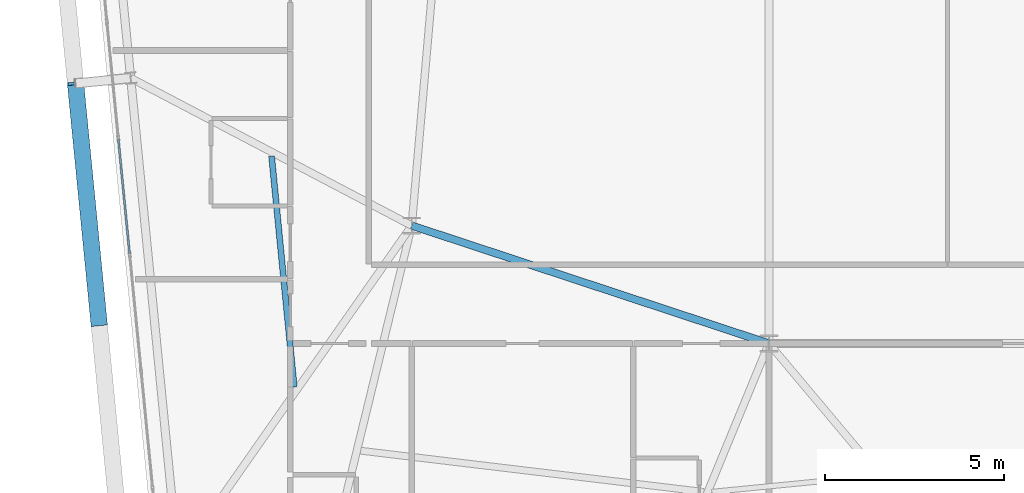
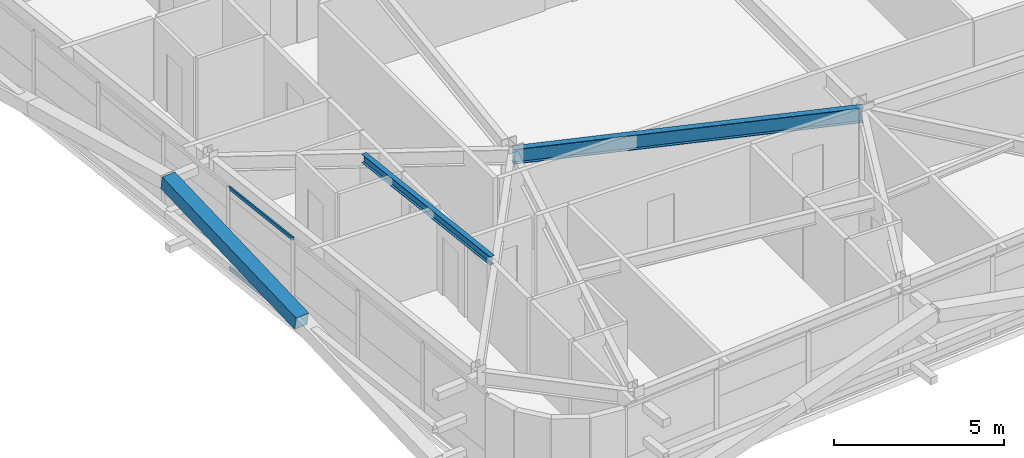
# One storey, part 9 of 53: 3 members, 2 beams, 1 element without a shape of its own.
"""IFC4 building model written with IfcOpenShell, lengths in metres."""

from ifc_helpers import new_model, si_unit, direction, frame, origin, origin_2d, place, context, subcontext, project, spatial, hollow_rectangle, i_section, extrude, source, transform, mapped, material, layer, layer_set, material_profile, profile_set, type_object, element, aggregate, save


model = new_model("IFC4")

# Units and contexts
model_context = context("Model", 3, precision=1e-05, world=origin(), true_north=direction((0.0, 1.0)))
body_context = subcontext(model_context, "Body", "Model", "MODEL_VIEW")
ifc_project = project(units=[si_unit("LENGTHUNIT", "METRE"), si_unit("AREAUNIT", "SQUARE_METRE"), si_unit("VOLUMEUNIT", "CUBIC_METRE"), si_unit("PLANEANGLEUNIT", "RADIAN"), si_unit("MASSUNIT", "GRAM", prefix="KILO")], contexts=[model_context])

# Site, building, storey
site_placement = place(None, origin())
site = spatial("IfcSite", under=ifc_project, at=site_placement, CompositionType="ELEMENT")
building_placement = place(site_placement, origin())
building = spatial("IfcBuilding", under=site, at=building_placement, Name="Taldren Reach Tower", CompositionType="ELEMENT")
storey_placement = place(building_placement, frame((0.0, 0.0, 80.85009765625)))
storey = spatial("IfcBuildingStorey", under=building, at=storey_placement, Name="L24", CompositionType="ELEMENT", Elevation=80.85009765625)

# Beams
ifc_material_1 = material(Name="Steel Gr 350 (350PLUS)", Category="steel")
ifc_material_profile_1 = material_profile(ifc_material_1, i_section(OverallWidth=0.208984375, OverallDepth=0.532958984375, WebThickness=0.01025390625, FlangeThickness=0.015625, at=origin_2d()), Name="530UB92.4")
ifc_profile_set_1 = profile_set([ifc_material_profile_1], Name="Steel Gr 350 (350PLUS)")
beam_type_1 = type_object("IfcBeamType", Name="BM-UB530A", PredefinedType="BEAM", material=ifc_profile_set_1)
shared_shape_1 = source(origin(), body_context, "Body", "SweptSolid", [
    extrude(i_section(OverallWidth=0.208984375, OverallDepth=0.532958984375, WebThickness=0.01025390625, FlangeThickness=0.015625, at=origin_2d()), origin(), (0.0, 0.0, 1.0), 10.530517578125),
])
beam_1_placement = place(storey_placement, frame((18.0, 12.5, 2.663330078125), z_axis=(0.949627269203, -0.313381635689, 0.0), x_axis=(0.313381635689, 0.949627269203, 0.0)))
element("IfcBeam", 1, at=beam_1_placement, inside=storey, type_object=beam_type_1, Name="Core-spine girder L24-SP10", PredefinedType="BEAM", context=body_context, shape_type="MappedRepresentation", body=[
    mapped(shared_shape_1, transform((0.0, 0.0, 0.0), scale=1.0)),
])
ifc_material_2 = material(Name="Steel Gr 300 (300PLUS, 300 MPa)", Category="steel")
ifc_material_profile_2 = material_profile(ifc_material_2, i_section(OverallWidth=0.166015625, OverallDepth=0.306884765625, WebThickness=0.006591796875, FlangeThickness=0.01171875, at=origin_2d()), Name="310UB46.2")
ifc_profile_set_2 = profile_set([ifc_material_profile_2], Name="Steel Gr 300 (300PLUS, 300 MPa)")
beam_type_2 = type_object("IfcBeamType", Name="JS-UB310", PredefinedType="JOIST", material=ifc_profile_set_2)
shared_shape_2 = source(origin(), body_context, "Body", "SweptSolid", [
    extrude(i_section(OverallWidth=0.166015625, OverallDepth=0.306884765625, WebThickness=0.006591796875, FlangeThickness=0.01171875, at=origin_2d()), origin(), (0.0, 0.0, 1.0), 6.489501953125),
])
beam_2_placement = place(storey_placement, frame((14.710693359375, 7.982666015625, 2.7763671875), z_axis=(-0.097588959486, 0.995226805802, 0.0), x_axis=(-0.995226805802, -0.097588959486, 0.0)))
element("IfcBeam", 2, at=beam_2_placement, inside=storey, type_object=beam_type_2, Name="Secondary floor joist B2 J6 L24", PredefinedType="JOIST", context=body_context, shape_type="MappedRepresentation", body=[
    mapped(shared_shape_2, transform((0.0, 0.0, 0.0), scale=1.0)),
])

# Member
ifc_material_3 = material(Name="Steel Gr 450 (C450L0)", Category="steel")
ifc_material_profile_3 = material_profile(ifc_material_3, hollow_rectangle(XDim=0.4599609375, YDim=0.4599609375, WallThickness=0.01611328125, at=origin_2d()), Name="460x460x16.0SHS")
ifc_profile_set_3 = profile_set([ifc_material_profile_3], Name="Steel Gr 450 (C450L0)")
member_type_1 = type_object("IfcMemberType", Name="MB-EXO457", PredefinedType="BRACE", material=ifc_profile_set_3)
shared_shape_3 = source(origin(), body_context, "Body", "SweptSolid", [
    extrude(hollow_rectangle(XDim=0.4599609375, YDim=0.4599609375, WallThickness=0.01611328125, at=origin_2d()), origin(), (0.0, 0.0, 1.0), 6.8828125),
])
member_1_placement = place(storey_placement, frame((9.2490234375, 9.7373046875, 1.434814453125), z_axis=(-0.096054795712, 0.979595750804, 0.17653793141), x_axis=(-0.995226946838, -0.097587521166, 0.0)))
element("IfcMember", 3, at=member_1_placement, inside=storey, type_object=member_type_1, Name="Exoskeleton Diagrid Brace B2-W1 L24", PredefinedType="BRACE", context=body_context, shape_type="MappedRepresentation", body=[
    mapped(shared_shape_3, transform((0.0, 0.0, 0.0), scale=1.0)),
])

# Curtain wall, members
ifc_material_4 = material(Name="Aluminium and Low-E Glass Unitised System", Category="aluminium")
ifc_layer = layer(ifc_material_4, 0.159912109375)
ifc_layer_set = layer_set([ifc_layer], Name="Aluminium and Low-E Glass Unitised System")
curtain_wall_type = type_object("IfcCurtainWallType", Name="CW-SYS-3", PredefinedType="NOTDEFINED", material=ifc_layer_set)
curtain_wall_placement = place(storey_placement, origin())
curtain_wall = element("IfcCurtainWall", 4, at=curtain_wall_placement, inside=storey, type_object=curtain_wall_type, Name="Unitised curtain wall CW-L24-W", PredefinedType="NOTDEFINED")
ifc_material_5 = material(Name="Anodised Aluminium 6063-T6", Category="aluminium")
ifc_material_profile_4 = material_profile(ifc_material_5, hollow_rectangle(XDim=0.054931640625, YDim=0.1201171875, WallThickness=0.0029296875, at=origin_2d()), Name="ALU-120x55x3RHS")
ifc_profile_set_4 = profile_set([ifc_material_profile_4], Name="Anodised Aluminium 6063-T6")
member_type_2 = type_object("IfcMemberType", Name="CW-TRN-135", PredefinedType="USERDEFINED", material=ifc_profile_set_4)
shared_shape_4 = source(origin(), body_context, "Body", "SweptSolid", [
    extrude(hollow_rectangle(XDim=0.054931640625, YDim=0.1201171875, WallThickness=0.0029296875, at=origin_2d()), origin(), (0.0, 0.0, 1.0), 3.212890625),
])
member_2_placement = place(storey_placement, frame((9.7861328125, 14.91796875, 0.02734375), z_axis=(0.097569948235, -0.995228669805, 0.0), x_axis=(0.995228669805, 0.097569948235, 0.0)))
member_2 = element("IfcMember", 5, at=member_2_placement, type_object=member_type_2, Name="CW-3 transom 6.1", ObjectType="TRANSOM", PredefinedType="USERDEFINED", context=body_context, shape_type="MappedRepresentation", body=[
    mapped(shared_shape_4, transform((0.0, 0.0, 0.0), scale=1.0)),
])
member_3_placement = place(storey_placement, frame((9.7861328125, 14.91796875, 2.90234375), z_axis=(0.097569948235, -0.995228669805, 0.0), x_axis=(0.995228669805, 0.097569948235, 0.0)))
member_3 = element("IfcMember", 6, at=member_3_placement, type_object=member_type_2, Name="CW-3 transom 6.2", ObjectType="TRANSOM", PredefinedType="USERDEFINED", context=body_context, shape_type="MappedRepresentation", body=[
    mapped(shared_shape_4, transform((0.0, 0.0, 0.0), scale=1.0)),
])
aggregate(curtain_wall, [member_2, member_3])

save(model, "model.ifc")
